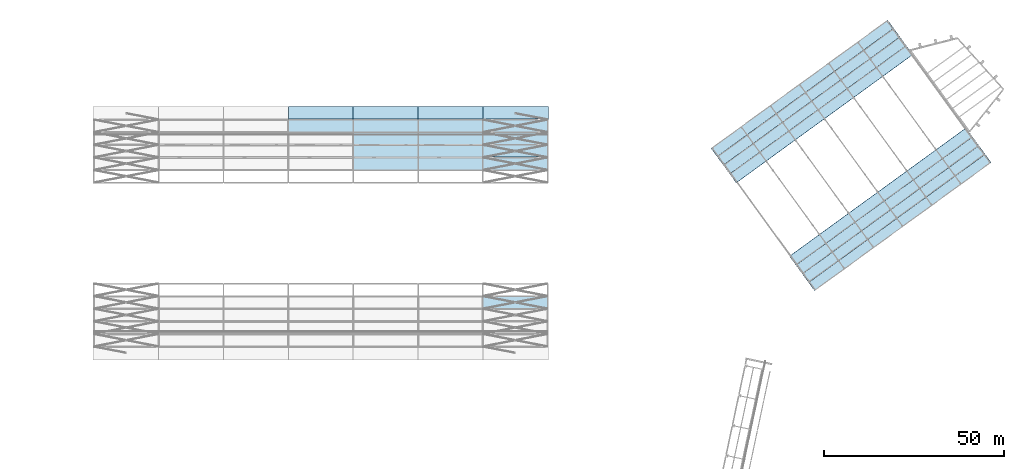
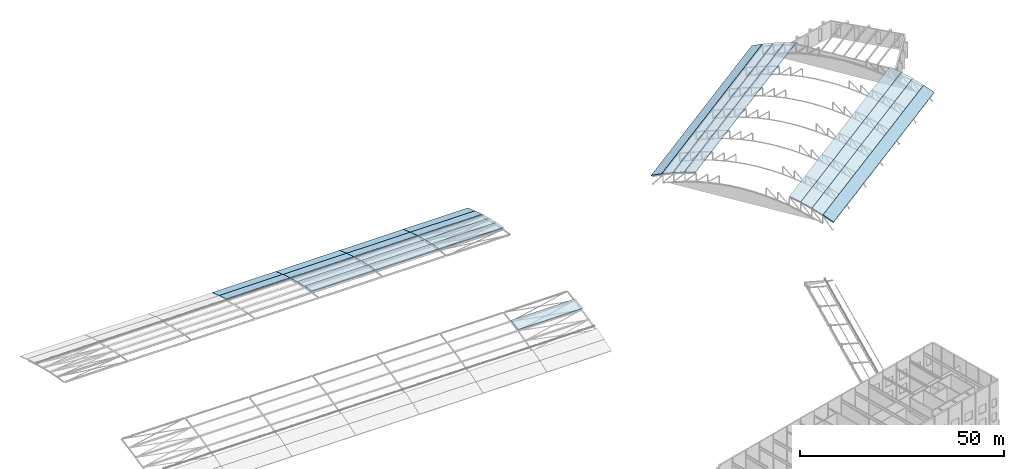
# One storey, part 36 of 69: 26 slabs.
"""IFC4 building model written with IfcOpenShell, lengths in metres."""

from ifc_helpers import new_model, si_unit, direction, frame, origin, place, context, subcontext, project, spatial, polyline, outline, extrude, material, layer, layer_set, type_object, element, save


model = new_model("IFC4")

# Units and contexts
model_context = context("Model", 3, precision=1e-05, world=origin(), true_north=direction((0.0, 1.0)))
body_context = subcontext(model_context, "Body", "Model", "MODEL_VIEW")
ifc_project = project(units=[si_unit("LENGTHUNIT", "METRE"), si_unit("AREAUNIT", "SQUARE_METRE"), si_unit("VOLUMEUNIT", "CUBIC_METRE"), si_unit("PLANEANGLEUNIT", "RADIAN"), si_unit("MASSUNIT", "GRAM", prefix="KILO")], contexts=[model_context])

# Site, building, storey
site_placement = place(None, origin())
site = spatial("IfcSite", under=ifc_project, at=site_placement, CompositionType="ELEMENT")
building_placement = place(site_placement, origin())
building = spatial("IfcBuilding", under=site, at=building_placement, Name="Okhra Congress Centre", CompositionType="ELEMENT")
storey_placement = place(building_placement, frame((0.0, 0.0, 16.800048828125)))
storey = spatial("IfcBuildingStorey", under=building, at=storey_placement, Name="L03", CompositionType="ELEMENT", Elevation=16.800048828125)

# Slabs
ifc_material_1 = material(Name="Insulated metal roof panel (mineral wool core), standing seam")
ifc_layer_1 = layer(ifc_material_1, 0.14990234375)
ifc_layer_set_1 = layer_set([ifc_layer_1], Name="Insulated roof panel 150")
slab_type_1 = type_object("IfcSlabType", Name="Insulated roof panel 150", PredefinedType="ROOF", material=ifc_layer_set_1)
slab_1_placement = place(storey_placement, frame((228.070068359375, 157.993896484375, 1.00439453125), z_axis=(0.24839931096, -0.341891050882, 0.906315779208), x_axis=(0.809015956282, 0.587786681102, 0.0)))
element("IfcSlab", 1, at=slab_1_placement, inside=storey, type_object=slab_type_1, Name="Roof panel 2", PredefinedType="ROOF", context=body_context, shape_type="SweptSolid", body=[
    extrude(outline(polyline([(0.0, 0.0), (60.600000292731586, 3.552713678800501e-15), (60.600080740313715, 3.142161225061767), (8.044758213324742e-05, 3.1421612250617668), (0.0, 0.0)])), origin(), (0.0, 0.0, -1.0), 0.14990234375),
])
slab_2_placement = place(storey_placement, frame((226.380615234375, 160.3193359375, 2.34375), z_axis=(0.217028339308, -0.298713796737, 0.929337811335), x_axis=(0.809017741466, 0.587784224008, -5.592e-07)))
element("IfcSlab", 2, at=slab_2_placement, inside=storey, type_object=slab_type_1, Name="Roof panel 3", PredefinedType="ROOF", context=body_context, shape_type="SweptSolid", body=[
    extrude(outline(polyline([(0.0, 0.0), (60.59985679043481, 7.105427357601002e-15), (60.60000096912188, 3.14218310360041), (6.766792552280108e-07, 3.1419995462521237), (0.0, 0.0)])), origin(), (0.0, 0.0, -1.0), 0.14990234375),
])
slab_3_placement = place(storey_placement, frame((224.6484375, 162.70361328125, 3.513671875), z_axis=(0.184870296204, -0.254452932331, 0.949250587995), x_axis=(0.809017872056, 0.587784044266, 0.0)))
element("IfcSlab", 3, at=slab_3_placement, inside=storey, type_object=slab_type_1, Name="Roof panel 4", PredefinedType="ROOF", context=body_context, shape_type="SweptSolid", body=[
    extrude(outline(polyline([(0.0, 0.0), (60.59985679044577, -3.552713678800501e-15), (60.59988124217797, 3.142181096290659), (2.445173219189911e-05, 3.1421810962906633), (0.0, 0.0)])), origin(), (0.0, 0.0, -1.0), 0.14990234375),
])
slab_4_placement = place(storey_placement, frame((222.87890625, 165.138916015625, 4.51025390625), z_axis=(0.152129415682, -0.209387921004, 0.965926156299), x_axis=(0.809017301552, 0.587784829499, -2.96001e-07)))
element("IfcSlab", 4, at=slab_4_placement, inside=storey, type_object=slab_type_1, Name="Roof panel 5", PredefinedType="ROOF", context=body_context, shape_type="SweptSolid", body=[
    extrude(outline(polyline([(0.0, 0.0), (60.600197806559855, -7.105427357601002e-15), (60.59996650884083, 3.1421730543537216), (-3.378372938851975e-05, 3.1420344418832467), (0.0, 0.0)])), origin(), (0.0, 0.0, -1.0), 0.14990234375),
])
slab_5_placement = place(storey_placement, frame((206.30029296875, 187.957763671875, 5.323486328125), z_axis=(-0.152124456068, 0.209381812248, 0.965928261604), x_axis=(0.80901785451, 0.587784068416, 1.11408e-07)))
element("IfcSlab", 5, at=slab_5_placement, inside=storey, type_object=slab_type_1, Name="Roof panel 14", PredefinedType="ROOF", context=body_context, shape_type="SweptSolid", body=[
    extrude(outline(polyline([(0.0, 0.0), (60.59985679044538, 7.105427357601002e-15), (60.599963803658675, 3.142225226077178), (-0.00023400288116862293, 3.1421730542005415), (0.0, 0.0)])), origin(), (0.0, 0.0, -1.0), 0.14990234375),
])
slab_6_placement = place(storey_placement, frame((204.5, 190.435302734375, 4.501953125), z_axis=(-0.184871125549, 0.254452329788, 0.949250587992), x_axis=(0.809015956282, 0.587786681102, 0.0)))
element("IfcSlab", 6, at=slab_6_placement, inside=storey, type_object=slab_type_1, Name="Roof panel 15", PredefinedType="ROOF", context=body_context, shape_type="SweptSolid", body=[
    extrude(outline(polyline([(0.0, 0.0), (60.600000292731586, 0.0), (60.60003446606109, 3.1421810961999697), (3.417332950614476e-05, 3.142181096199973), (0.0, 0.0)])), origin(), (0.0, 0.0, -1.0), 0.14990234375),
])
slab_7_placement = place(storey_placement, frame((202.73095703125, 192.870361328125, 3.50390625), z_axis=(-0.21702337998, 0.298707714557, 0.929340924423), x_axis=(0.809017836346, 0.587784093416, 1.52916e-07)))
element("IfcSlab", 7, at=slab_7_placement, inside=storey, type_object=slab_type_1, Name="Roof panel 16", PredefinedType="ROOF", context=body_context, shape_type="SweptSolid", body=[
    extrude(outline(polyline([(0.0, 0.0), (60.59985679044496, -3.552713678800501e-15), (60.600000969111726, 3.1421831037961545), (-0.00019683742936386518, 3.142132908080819), (0.0, 0.0)])), origin(), (0.0, 0.0, -1.0), 0.14990234375),
])
slab_8_placement = place(storey_placement, frame((200.9990234375, 195.254150390625, 2.332275390625), z_axis=(-0.248398196613, 0.341891860465, 0.906315779222), x_axis=(0.809017872056, 0.587784044266, 0.0)))
element("IfcSlab", 8, at=slab_8_placement, inside=storey, type_object=slab_type_1, Name="Roof panel 17", PredefinedType="ROOF", context=body_context, shape_type="SweptSolid", body=[
    extrude(outline(polyline([(0.0, 0.0), (60.59985679044577, -3.552713678800501e-15), (60.59992795619924, 3.1421612252856956), (7.116575346044485e-05, 3.142161225285697), (0.0, 0.0)])), origin(), (0.0, 0.0, -1.0), 0.14990234375),
])
ifc_material_2 = material(Name="Insulated metal sandwich roof panel (mineral wool core)")
ifc_layer_2 = layer(ifc_material_2, 0.25)
ifc_layer_set_2 = layer_set([ifc_layer_2], Name="Insulated roof panel 250")
slab_type_2 = type_object("IfcSlabType", Name="Insulated roof panel 250", PredefinedType="ROOF", material=ifc_layer_set_2)
slab_9_placement = place(storey_placement, frame((82.0, 202.14208984375, 2.4169921875), z_axis=(0.0, 0.301960855226, 0.953320324923), x_axis=(1.0, 0.0, 0.0)))
element("IfcSlab", 9, at=slab_9_placement, inside=storey, type_object=slab_type_2, Name="EH.SLAB.L03.RP4-21", PredefinedType="ROOF", context=body_context, shape_type="SweptSolid", body=[
    extrude(outline(polyline([(0.0, 0.0), (18.0, 0.0), (18.0, 3.6900737072915346), (0.0, 3.6900737072915346), (0.0, 0.0)])), origin(), (0.0, 0.0, -1.0), 0.25),
])
slab_10_placement = place(storey_placement, frame((82.0, 205.659912109375, 1.302734375), z_axis=(0.0, 0.337548672866, 0.941308075736), x_axis=(1.0, 0.0, 0.0)))
element("IfcSlab", 10, at=slab_10_placement, inside=storey, type_object=slab_type_2, Name="EH.SLAB.L03.RP4-22", PredefinedType="ROOF", context=body_context, shape_type="SweptSolid", body=[
    extrude(outline(polyline([(0.0, 0.0), (18.0, 0.0), (18.0, 3.737163587886516), (0.0, 3.737163587886516), (0.0, 0.0)])), origin(), (0.0, 0.0, -1.0), 0.25),
])
slab_11_placement = place(storey_placement, frame((100.0, 191.5888671875, 4.925537109375), z_axis=(0.0, 0.195409274661, 0.98072178286), x_axis=(1.0, 0.0, 0.0)))
element("IfcSlab", 11, at=slab_11_placement, inside=storey, type_object=slab_type_2, Name="EH.SLAB.L03.RP5-18", PredefinedType="ROOF", context=body_context, shape_type="SweptSolid", body=[
    extrude(outline(polyline([(0.0, 0.0), (18.0, 0.0), (18.0, 3.586972704293006), (0.0, 3.586972704293006), (0.0, 0.0)])), origin(), (0.0, 0.0, -1.0), 0.25),
])
slab_12_placement = place(storey_placement, frame((100.0, 195.106689453125, 4.224609375), z_axis=(0.0, 0.230950973735, 0.972965388763), x_axis=(1.0, 0.0, 0.0)))
element("IfcSlab", 12, at=slab_12_placement, inside=storey, type_object=slab_type_2, Name="EH.SLAB.L03.RP5-19", PredefinedType="ROOF", context=body_context, shape_type="SweptSolid", body=[
    extrude(outline(polyline([(0.0, 0.0), (18.0, 0.0), (18.0, 3.6153168094413797), (0.0, 3.6153168094413797), (0.0, 0.0)])), origin(), (0.0, 0.0, -1.0), 0.25),
])
slab_13_placement = place(storey_placement, frame((100.0, 198.624267578125, 3.3896484375), z_axis=(0.0, 0.266494830301, 0.963836347843), x_axis=(1.0, 0.0, 0.0)))
element("IfcSlab", 13, at=slab_13_placement, inside=storey, type_object=slab_type_2, Name="EH.SLAB.L03.RP5-20", PredefinedType="ROOF", context=body_context, shape_type="SweptSolid", body=[
    extrude(outline(polyline([(0.0, 0.0), (18.0, 0.0), (18.0, 3.649812827144848), (0.0, 3.649812827144848), (0.0, 0.0)])), origin(), (0.0, 0.0, -1.0), 0.25),
])
slab_14_placement = place(storey_placement, frame((100.0, 202.14208984375, 2.4169921875), z_axis=(0.0, 0.301960855226, 0.953320324923), x_axis=(1.0, 0.0, 0.0)))
element("IfcSlab", 14, at=slab_14_placement, inside=storey, type_object=slab_type_2, Name="EH.SLAB.L03.RP5-21", PredefinedType="ROOF", context=body_context, shape_type="SweptSolid", body=[
    extrude(outline(polyline([(0.0, 0.0), (18.0, 0.0), (18.0, 3.6900737072915346), (0.0, 3.6900737072915346), (0.0, 0.0)])), origin(), (0.0, 0.0, -1.0), 0.25),
])
slab_15_placement = place(storey_placement, frame((100.0, 205.659912109375, 1.302734375), z_axis=(0.0, 0.337548672866, 0.941308075736), x_axis=(1.0, 0.0, 0.0)))
element("IfcSlab", 15, at=slab_15_placement, inside=storey, type_object=slab_type_2, Name="EH.SLAB.L03.RP5-22", PredefinedType="ROOF", context=body_context, shape_type="SweptSolid", body=[
    extrude(outline(polyline([(0.0, 0.0), (18.0, 0.0), (18.0, 3.737163587886516), (0.0, 3.737163587886516), (0.0, 0.0)])), origin(), (0.0, 0.0, -1.0), 0.25),
])
slab_16_placement = place(storey_placement, frame((118.0, 191.5888671875, 4.925537109375), z_axis=(0.0, 0.195409274661, 0.98072178286), x_axis=(1.0, 0.0, 0.0)))
element("IfcSlab", 16, at=slab_16_placement, inside=storey, type_object=slab_type_2, Name="EH.SLAB.L03.RP6-18", PredefinedType="ROOF", context=body_context, shape_type="SweptSolid", body=[
    extrude(outline(polyline([(0.0, 0.0), (18.0, 0.0), (18.0, 3.586972704293006), (0.0, 3.586972704293006), (0.0, 0.0)])), origin(), (0.0, 0.0, -1.0), 0.25),
])
slab_17_placement = place(storey_placement, frame((118.0, 195.106689453125, 4.224609375), z_axis=(0.0, 0.230950973735, 0.972965388763), x_axis=(1.0, 0.0, 0.0)))
element("IfcSlab", 17, at=slab_17_placement, inside=storey, type_object=slab_type_2, Name="EH.SLAB.L03.RP6-19", PredefinedType="ROOF", context=body_context, shape_type="SweptSolid", body=[
    extrude(outline(polyline([(0.0, 0.0), (18.0, 0.0), (18.0, 3.6153168094413797), (0.0, 3.6153168094413797), (0.0, 0.0)])), origin(), (0.0, 0.0, -1.0), 0.25),
])
slab_18_placement = place(storey_placement, frame((118.0, 198.624267578125, 3.3896484375), z_axis=(0.0, 0.266494830301, 0.963836347843), x_axis=(1.0, 0.0, 0.0)))
element("IfcSlab", 18, at=slab_18_placement, inside=storey, type_object=slab_type_2, Name="EH.SLAB.L03.RP6-20", PredefinedType="ROOF", context=body_context, shape_type="SweptSolid", body=[
    extrude(outline(polyline([(0.0, 0.0), (18.0, 0.0), (18.0, 3.649812827144848), (0.0, 3.649812827144848), (0.0, 0.0)])), origin(), (0.0, 0.0, -1.0), 0.25),
])
slab_19_placement = place(storey_placement, frame((118.0, 202.14208984375, 2.4169921875), z_axis=(0.0, 0.301960855226, 0.953320324923), x_axis=(1.0, 0.0, 0.0)))
element("IfcSlab", 19, at=slab_19_placement, inside=storey, type_object=slab_type_2, Name="EH.SLAB.L03.RP6-21", PredefinedType="ROOF", context=body_context, shape_type="SweptSolid", body=[
    extrude(outline(polyline([(0.0, 0.0), (18.0, 0.0), (18.0, 3.6900737072915346), (0.0, 3.6900737072915346), (0.0, 0.0)])), origin(), (0.0, 0.0, -1.0), 0.25),
])
slab_20_placement = place(storey_placement, frame((118.0, 205.659912109375, 1.302734375), z_axis=(0.0, 0.337548672866, 0.941308075736), x_axis=(1.0, 0.0, 0.0)))
element("IfcSlab", 20, at=slab_20_placement, inside=storey, type_object=slab_type_2, Name="EH.SLAB.L03.RP6-22", PredefinedType="ROOF", context=body_context, shape_type="SweptSolid", body=[
    extrude(outline(polyline([(0.0, 0.0), (18.0, 0.0), (18.0, 3.737163587886516), (0.0, 3.737163587886516), (0.0, 0.0)])), origin(), (0.0, 0.0, -1.0), 0.25),
])
for number, where, z_axis, x_axis, name in (
    (21, (136.0, 152.893310546875, 4.224609375), (0.0, -0.195409274661, 0.98072178286), (1.0, 0.0, 0.0), "EH.SLAB.L03.RP7-07"),
    (22, (136.0, 191.5888671875, 4.925537109375), (0.0, 0.195409274661, 0.98072178286), (1.0, 0.0, 0.0), "EH.SLAB.L03.RP7-18"),
):
    element("IfcSlab", number, at=place(storey_placement, frame(where, z_axis=z_axis, x_axis=x_axis)), inside=storey, type_object=slab_type_2, Name=name, PredefinedType="ROOF", context=body_context, shape_type="SweptSolid", body=[
        extrude(outline(polyline([(0.0, 0.0), (18.25, 0.0), (18.25, 3.5869727042930055), (0.0, 3.5869727042930055), (0.0, 0.0)])), origin(), (0.0, 0.0, -1.0), 0.25),
    ])
slab_21_placement = place(storey_placement, frame((136.0, 195.106689453125, 4.224609375), z_axis=(0.0, 0.230950973735, 0.972965388763), x_axis=(1.0, 0.0, 0.0)))
element("IfcSlab", 23, at=slab_21_placement, inside=storey, type_object=slab_type_2, Name="EH.SLAB.L03.RP7-19", PredefinedType="ROOF", context=body_context, shape_type="SweptSolid", body=[
    extrude(outline(polyline([(0.0, 0.0), (18.25, 0.0), (18.25, 3.6153168094413797), (0.0, 3.6153168094413797), (0.0, 0.0)])), origin(), (0.0, 0.0, -1.0), 0.25),
])
slab_22_placement = place(storey_placement, frame((136.0, 198.624267578125, 3.3896484375), z_axis=(0.0, 0.266494830301, 0.963836347843), x_axis=(1.0, 0.0, 0.0)))
element("IfcSlab", 24, at=slab_22_placement, inside=storey, type_object=slab_type_2, Name="EH.SLAB.L03.RP7-20", PredefinedType="ROOF", context=body_context, shape_type="SweptSolid", body=[
    extrude(outline(polyline([(0.0, 0.0), (18.25, 0.0), (18.25, 3.649812827144848), (0.0, 3.649812827144848), (0.0, 0.0)])), origin(), (0.0, 0.0, -1.0), 0.25),
])
slab_23_placement = place(storey_placement, frame((136.0, 202.14208984375, 2.4169921875), z_axis=(0.0, 0.301960855226, 0.953320324923), x_axis=(1.0, 0.0, 0.0)))
element("IfcSlab", 25, at=slab_23_placement, inside=storey, type_object=slab_type_2, Name="EH.SLAB.L03.RP7-21", PredefinedType="ROOF", context=body_context, shape_type="SweptSolid", body=[
    extrude(outline(polyline([(0.0, 0.0), (18.25, 0.0), (18.25, 3.690073707291535), (0.0, 3.690073707291535), (0.0, 0.0)])), origin(), (0.0, 0.0, -1.0), 0.25),
])
slab_24_placement = place(storey_placement, frame((136.0, 205.659912109375, 1.302734375), z_axis=(0.0, 0.337548672866, 0.941308075736), x_axis=(1.0, 0.0, 0.0)))
element("IfcSlab", 26, at=slab_24_placement, inside=storey, type_object=slab_type_2, Name="EH.SLAB.L03.RP7-22", PredefinedType="ROOF", context=body_context, shape_type="SweptSolid", body=[
    extrude(outline(polyline([(0.0, 0.0), (18.25, 0.0), (18.25, 3.737163587886516), (0.0, 3.737163587886516), (0.0, 0.0)])), origin(), (0.0, 0.0, -1.0), 0.25),
])

save(model, "model.ifc")
